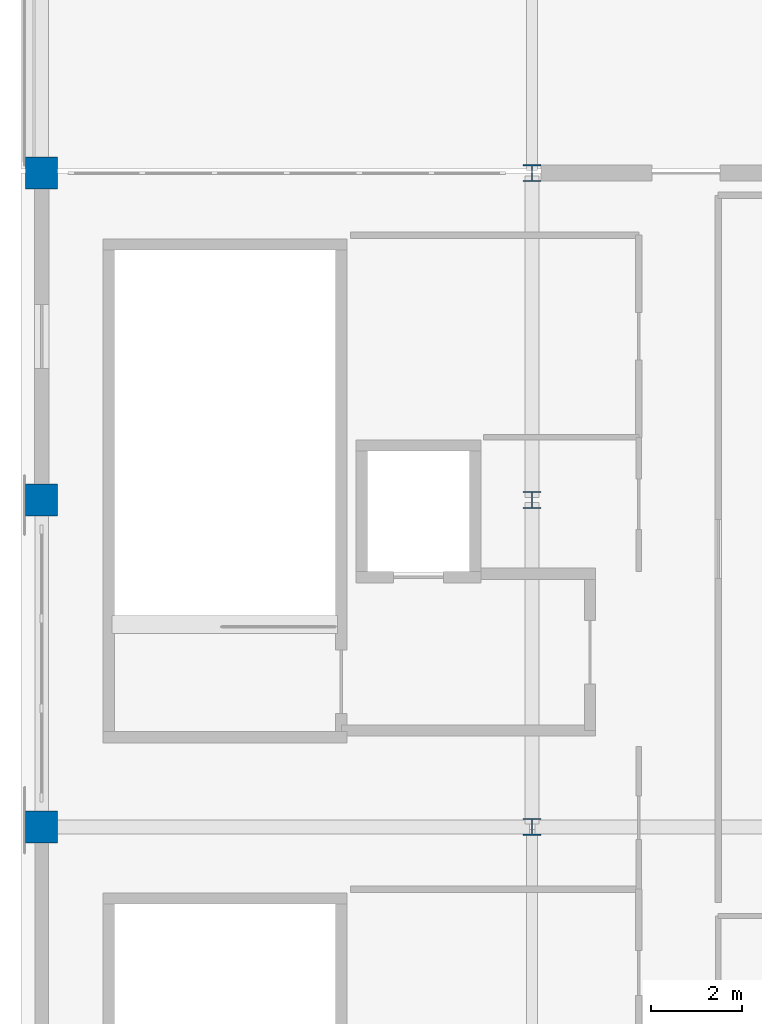
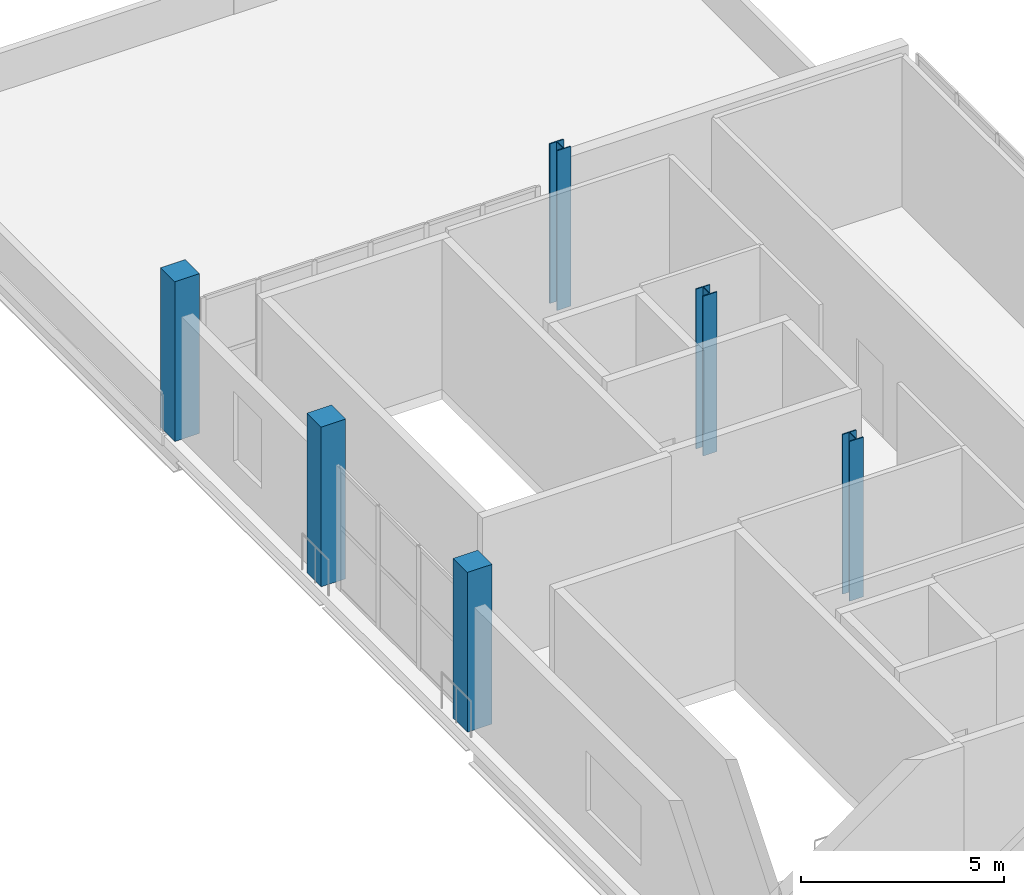
# One storey, part 2 of 19: 6 columns.
"""IFC4 building model written with IfcOpenShell, lengths in metres."""

from ifc_helpers import new_model, si_unit, direction, frame, origin, origin_2d, place, context, subcontext, project, spatial, rectangle, i_section, extrude, material, material_profile, profile_set, type_object, element, save


model = new_model("IFC4")

# Units and contexts
model_context = context("Model", 3, precision=1e-05, world=origin(), true_north=direction((0.0, 1.0)))
body_context = subcontext(model_context, "Body", "Model", "MODEL_VIEW")
ifc_project = project(units=[si_unit("LENGTHUNIT", "METRE"), si_unit("AREAUNIT", "SQUARE_METRE"), si_unit("VOLUMEUNIT", "CUBIC_METRE"), si_unit("PLANEANGLEUNIT", "RADIAN"), si_unit("MASSUNIT", "GRAM", prefix="KILO")], contexts=[model_context])

# Site, building, storey
site_placement = place(None, origin())
site = spatial("IfcSite", under=ifc_project, at=site_placement, CompositionType="ELEMENT")
building_placement = place(site_placement, origin())
building = spatial("IfcBuilding", under=site, at=building_placement, Name="Koshinbarg Plaza Stadium", CompositionType="ELEMENT")
storey_placement = place(building_placement, frame((0.0, 0.0, 29.39990234375)))
storey = spatial("IfcBuildingStorey", under=building, at=storey_placement, Name="L06", CompositionType="ELEMENT", Elevation=29.39990234375)

# Columns
ifc_material_1 = material(Name="Concrete C40/50", Category="concrete")
ifc_material_profile_1 = material_profile(ifc_material_1, rectangle(XDim=0.699951171875, YDim=0.699951171875, at=origin_2d()), Name="RC 700x700")
ifc_profile_set_1 = profile_set([ifc_material_profile_1], Name="Concrete C40/50")
column_type_1 = type_object("IfcColumnType", Name="COL-RC-06", PredefinedType="COLUMN", material=ifc_profile_set_1)
for number, where, z_axis, x_axis, name in (
    (1, (24.60009765625, 97.5, 0.0), (0.0, 0.0, 1.0), (1.0, 0.0, 0.0), "L06 column 5/N"),
    (2, (24.60009765625, 104.699951171875, 0.0), (0.0, 0.0, 1.0), (1.0, 0.0, 0.0), "L06 column 5/P"),
    (3, (24.60009765625, 111.89990234375, 0.0), (0.0, 0.0, 1.0), (1.0, 0.0, 0.0), "L06 column 5/Q"),
):
    element("IfcColumn", number, at=place(storey_placement, frame(where, z_axis=z_axis, x_axis=x_axis)), inside=storey, type_object=column_type_1, Name=name, PredefinedType="COLUMN", context=body_context, shape_type="SweptSolid", body=[
        extrude(rectangle(XDim=0.699951171875, YDim=0.699951171875, at=origin_2d()), origin(), (0.0, 0.0, 1.0), 4.800048828125),
    ])
ifc_material_2 = material(Name="Steel S355", Category="steel")
ifc_material_profile_2 = material_profile(ifc_material_2, i_section(OverallWidth=0.39501953125, OverallDepth=0.3798828125, WebThickness=0.018798828125, FlangeThickness=0.0302734375, at=origin_2d()), Name="HD 400x237")
ifc_profile_set_2 = profile_set([ifc_material_profile_2], Name="Steel S355")
column_type_2 = type_object("IfcColumnType", Name="COL-STL-01", PredefinedType="COLUMN", material=ifc_profile_set_2)
for number, where, z_axis, x_axis, name in (
    (4, (35.39990234375, 97.5, 0.0), (0.0, 0.0, 1.0), (1.0, 0.0, 0.0), "L06 column 6/N"),
    (5, (35.39990234375, 104.699951171875, 0.0), (0.0, 0.0, 1.0), (1.0, 0.0, 0.0), "L06 column 6/P"),
    (6, (35.39990234375, 111.89990234375, 0.0), (0.0, 0.0, 1.0), (1.0, 0.0, 0.0), "L06 column 6/Q"),
):
    element("IfcColumn", number, at=place(storey_placement, frame(where, z_axis=z_axis, x_axis=x_axis)), inside=storey, type_object=column_type_2, Name=name, PredefinedType="COLUMN", context=body_context, shape_type="SweptSolid", body=[
        extrude(i_section(OverallWidth=0.39501953125, OverallDepth=0.3798828125, WebThickness=0.018798828125, FlangeThickness=0.0302734375, at=origin_2d()), origin(), (0.0, 0.0, 1.0), 4.800048828125),
    ])

save(model, "model.ifc")
